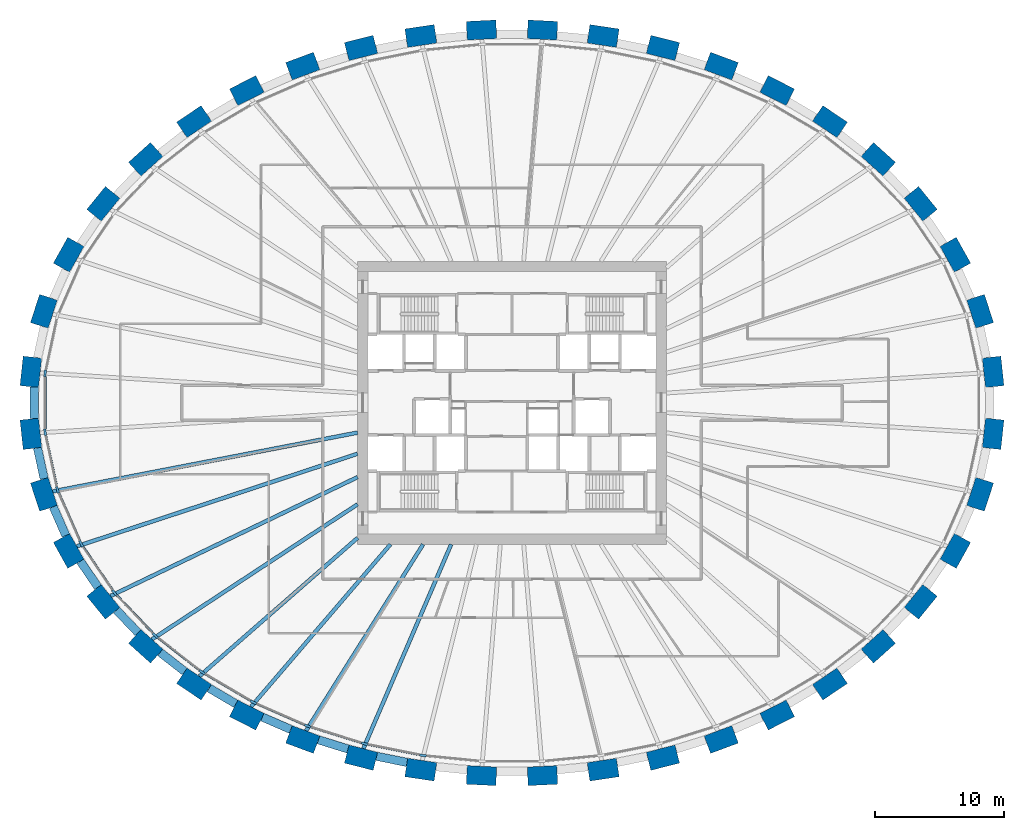
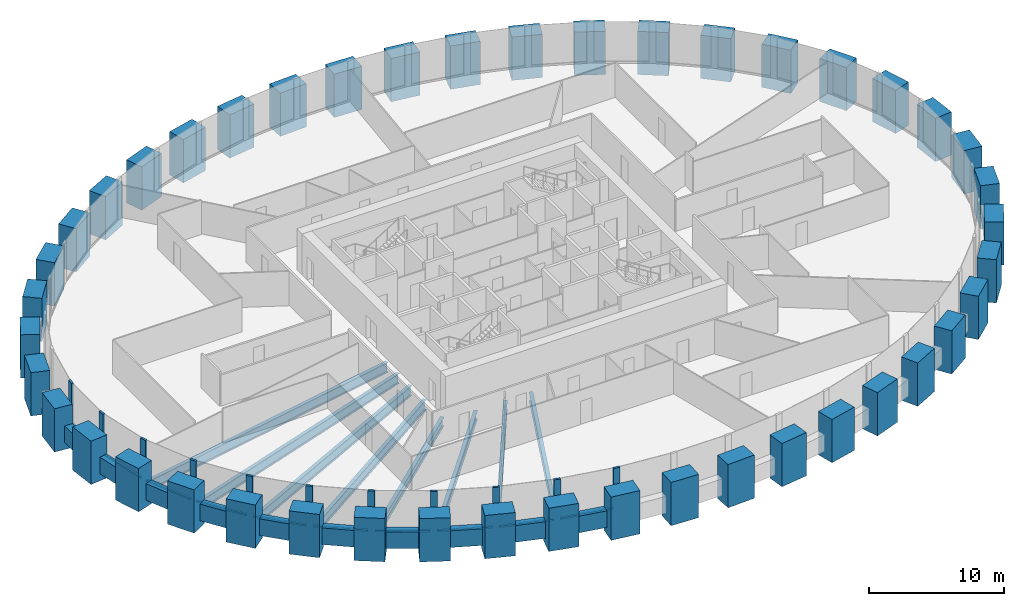
# One storey, part 1 of 10: 44 columns, 21 members, 18 beams, 1 element without a shape of its own.
"""IFC4 building model written with IfcOpenShell, lengths in metres."""

from ifc_helpers import new_model, si_unit, direction, frame, origin, origin_2d, place, context, subcontext, project, spatial, rectangle, i_section, extrude, source, transform, mapped, material, material_profile, profile_set, type_object, element, aggregate, save


model = new_model("IFC4")

# Units and contexts
model_context = context("Model", 3, precision=1e-05, world=origin(), true_north=direction((0.0, 1.0)))
body_context = subcontext(model_context, "Body", "Model", "MODEL_VIEW")
ifc_project = project(units=[si_unit("LENGTHUNIT", "METRE"), si_unit("AREAUNIT", "SQUARE_METRE"), si_unit("VOLUMEUNIT", "CUBIC_METRE"), si_unit("PLANEANGLEUNIT", "RADIAN"), si_unit("MASSUNIT", "GRAM", prefix="KILO")], contexts=[model_context])

# Site, building, storey
site_placement = place(None, origin())
site = spatial("IfcSite", under=ifc_project, at=site_placement, CompositionType="ELEMENT")
building_placement = place(site_placement, origin())
building = spatial("IfcBuilding", under=site, at=building_placement, Name="Embergate Tower", CompositionType="ELEMENT")
storey_placement = place(building_placement, frame((0.0, 0.0, 163.800048828125)))
storey = spatial("IfcBuildingStorey", under=building, at=storey_placement, Name="L36", CompositionType="ELEMENT", Elevation=163.800048828125)

# Columns
ifc_material_1 = material(Name="Concrete C70", Category="concrete")
ifc_material_profile_1 = material_profile(ifc_material_1, rectangle(XDim=1.449951171875, YDim=2.300048828125, at=origin_2d()), Name="RC 1450x2300")
ifc_profile_set_1 = profile_set([ifc_material_profile_1], Name="Concrete C70")
column_type = type_object("IfcColumnType", Name="Ring column RC 1450x2300 C70", PredefinedType="COLUMN", material=ifc_profile_set_1)
shared_shape_1 = source(origin(), body_context, "Body", "SweptSolid", [
    extrude(rectangle(XDim=1.449951171875, YDim=2.300048828125, at=origin_2d()), origin(), (0.0, 0.0, 1.0), 3.900146484375),
])
for number, where, z_axis, x_axis, name in (
    (1, (37.389892578125, 2.406982421875, -1.400146484375), (0.0, 0.0, 1.0), (0.99428589498, 0.106749983816, 0.0), "COL-L36-00"),
    (2, (36.3779296875, 7.10888671875, -1.400146484375), (0.0, 0.0, 1.0), (0.950754033697, 0.309946394413, 0.0), "COL-L36-01"),
    (3, (34.449951171875, 11.5048828125, -1.400146484375), (0.0, 0.0, 1.0), (0.873491969053, 0.486838556403, 0.0), "COL-L36-02"),
    (4, (31.758056640625, 15.465087890625, -1.400146484375), (0.0, 0.0, 1.0), (0.775914301615, 0.630838328377, 0.0), "COL-L36-03"),
    (5, (28.462890625, 18.9208984375, -1.400146484375), (0.0, 0.0, 1.0), (0.669208424634, 0.74307475021, 0.0), "COL-L36-04"),
    (6, (24.70703125, 21.85205078125, -1.400146484375), (0.0, 0.0, 1.0), (0.560393279442, 0.828226643109, 0.0), "COL-L36-05"),
    (7, (20.60791015625, 24.261962890625, -1.400146484375), (0.0, 0.0, 1.0), (0.452994952881, 0.891513080478, 0.0), "COL-L36-06"),
    (8, (16.258056640625, 26.1640625, -1.400146484375), (0.0, 0.0, 1.0), (0.348343015724, 0.93736713373, 0.0), "COL-L36-07"),
    (9, (11.72998046875, 27.574951171875, -1.400146484375), (0.0, 0.0, 1.0), (0.246491603437, 0.969144926951, 0.0), "COL-L36-08"),
    (10, (7.0830078125, 28.507080078125, -1.400146484375), (0.0, 0.0, 1.0), (0.146929011949, 0.989147039346, 0.0), "COL-L36-09"),
    (11, (2.367919921875, 28.969970703125, -1.400146484375), (0.0, 0.0, 1.0), (0.048814904854, 0.998807841912, 0.0), "COL-L36-10"),
    (12, (-2.367919921875, 28.969970703125, -1.400146484375), (0.0, 0.0, 1.0), (-0.048814904854, 0.998807841912, 0.0), "COL-L36-11"),
    (13, (-7.0830078125, 28.507080078125, -1.400146484375), (0.0, 0.0, 1.0), (-0.146929011949, 0.989147039346, 0.0), "COL-L36-12"),
    (14, (-11.72998046875, 27.574951171875, -1.400146484375), (0.0, 0.0, 1.0), (-0.246491603437, 0.969144926951, 0.0), "COL-L36-13"),
    (15, (-16.258056640625, 26.1640625, -1.400146484375), (0.0, 0.0, 1.0), (-0.348343015724, 0.93736713373, 0.0), "COL-L36-14"),
    (16, (-20.60791015625, 24.261962890625, -1.400146484375), (0.0, 0.0, 1.0), (-0.452994952881, 0.891513080478, 0.0), "COL-L36-15"),
    (17, (-24.70703125, 21.85205078125, -1.400146484375), (0.0, 0.0, 1.0), (-0.560393279442, 0.828226643109, 0.0), "COL-L36-16"),
    (18, (-28.462890625, 18.9208984375, -1.400146484375), (0.0, 0.0, 1.0), (-0.669208424634, 0.74307475021, 0.0), "COL-L36-17"),
    (19, (-31.758056640625, 15.465087890625, -1.400146484375), (0.0, 0.0, 1.0), (-0.775914301615, 0.630838328377, 0.0), "COL-L36-18"),
    (20, (-34.449951171875, 11.5048828125, -1.400146484375), (0.0, 0.0, 1.0), (-0.873491969053, 0.486838556403, 0.0), "COL-L36-19"),
    (21, (-36.3779296875, 7.10888671875, -1.400146484375), (0.0, 0.0, 1.0), (-0.950754033697, 0.309946394413, 0.0), "COL-L36-20"),
    (22, (-37.389892578125, 2.406982421875, -1.400146484375), (0.0, 0.0, 1.0), (-0.99428589498, 0.106749983816, 0.0), "COL-L36-21"),
    (23, (-37.389892578125, -2.406982421875, -1.400146484375), (0.0, 0.0, 1.0), (-0.99428589498, -0.106749983816, 0.0), "COL-L36-22"),
    (24, (-36.3779296875, -7.10888671875, -1.400146484375), (0.0, 0.0, 1.0), (-0.950754033697, -0.309946394413, 0.0), "COL-L36-23"),
    (25, (-34.449951171875, -11.5048828125, -1.400146484375), (0.0, 0.0, 1.0), (-0.873491969053, -0.486838556403, 0.0), "COL-L36-24"),
    (26, (-31.758056640625, -15.465087890625, -1.400146484375), (0.0, 0.0, 1.0), (-0.775914301615, -0.630838328377, 0.0), "COL-L36-25"),
    (27, (-28.462890625, -18.9208984375, -1.400146484375), (0.0, 0.0, 1.0), (-0.669208424634, -0.74307475021, 0.0), "COL-L36-26"),
    (28, (-24.70703125, -21.85205078125, -1.400146484375), (0.0, 0.0, 1.0), (-0.560393279442, -0.828226643109, 0.0), "COL-L36-27"),
    (29, (-20.60791015625, -24.261962890625, -1.400146484375), (0.0, 0.0, 1.0), (-0.452994952881, -0.891513080478, 0.0), "COL-L36-28"),
    (30, (-16.258056640625, -26.1640625, -1.400146484375), (0.0, 0.0, 1.0), (-0.348343015724, -0.93736713373, 0.0), "COL-L36-29"),
    (31, (-11.72998046875, -27.574951171875, -1.400146484375), (0.0, 0.0, 1.0), (-0.246491603437, -0.969144926951, 0.0), "COL-L36-30"),
    (32, (-7.0830078125, -28.507080078125, -1.400146484375), (0.0, 0.0, 1.0), (-0.146929011949, -0.989147039346, 0.0), "COL-L36-31"),
    (33, (-2.367919921875, -28.969970703125, -1.400146484375), (0.0, 0.0, 1.0), (-0.048814904854, -0.998807841912, 0.0), "COL-L36-32"),
    (34, (2.367919921875, -28.969970703125, -1.400146484375), (0.0, 0.0, 1.0), (0.048814904854, -0.998807841912, 0.0), "COL-L36-33"),
    (35, (7.0830078125, -28.507080078125, -1.400146484375), (0.0, 0.0, 1.0), (0.146929011949, -0.989147039346, 0.0), "COL-L36-34"),
    (36, (11.72998046875, -27.574951171875, -1.400146484375), (0.0, 0.0, 1.0), (0.246491603437, -0.969144926951, 0.0), "COL-L36-35"),
    (37, (16.258056640625, -26.1640625, -1.400146484375), (0.0, 0.0, 1.0), (0.348343015724, -0.93736713373, 0.0), "COL-L36-36"),
    (38, (20.60791015625, -24.261962890625, -1.400146484375), (0.0, 0.0, 1.0), (0.452994952881, -0.891513080478, 0.0), "COL-L36-37"),
    (39, (24.70703125, -21.85205078125, -1.400146484375), (0.0, 0.0, 1.0), (0.560393279442, -0.828226643109, 0.0), "COL-L36-38"),
    (40, (28.462890625, -18.9208984375, -1.400146484375), (0.0, 0.0, 1.0), (0.669208424634, -0.74307475021, 0.0), "COL-L36-39"),
    (41, (31.758056640625, -15.465087890625, -1.400146484375), (0.0, 0.0, 1.0), (0.775914301615, -0.630838328377, 0.0), "COL-L36-40"),
    (42, (34.449951171875, -11.5048828125, -1.400146484375), (0.0, 0.0, 1.0), (0.873491969053, -0.486838556403, 0.0), "COL-L36-41"),
    (43, (36.3779296875, -7.10888671875, -1.400146484375), (0.0, 0.0, 1.0), (0.950754033697, -0.309946394413, 0.0), "COL-L36-42"),
    (44, (37.389892578125, -2.406982421875, -1.400146484375), (0.0, 0.0, 1.0), (0.99428589498, -0.106749983816, 0.0), "COL-L36-43"),
):
    element("IfcColumn", number, at=place(storey_placement, frame(where, z_axis=z_axis, x_axis=x_axis)), inside=storey, type_object=column_type, Name=name, PredefinedType="COLUMN", context=body_context, shape_type="MappedRepresentation", body=[
        mapped(shared_shape_1, transform((0.0, 0.0, 0.0))),
    ])

# Beams
ifc_material_profile_2 = material_profile(ifc_material_1, rectangle(XDim=0.64990234375, YDim=1.5, at=origin_2d()), Name="RC 650x1500")
ifc_profile_set_2 = profile_set([ifc_material_profile_2], Name="Concrete C70")
beam_type_1 = type_object("IfcBeamType", Name="Spandrel beam RC 650x1500 C70", PredefinedType="BEAM", material=ifc_profile_set_2)
shared_shape_2 = source(origin(), body_context, "Body", "SweptSolid", [
    extrude(rectangle(XDim=0.64990234375, YDim=1.5, at=origin_2d()), origin(), (0.0, 0.0, 1.0), 2.439697265625),
])
beam_1_placement = place(storey_placement, frame((-36.87109375, -3.508056640625, 0.0), z_axis=(0.210738503873, -0.977542471193, 0.0), x_axis=(0.977542471193, 0.210738503873, 0.0)))
element("IfcBeam", 45, at=beam_1_placement, inside=storey, type_object=beam_type_1, Name="SPN-L36-22", PredefinedType="BEAM", context=body_context, shape_type="MappedRepresentation", body=[
    mapped(shared_shape_2, transform((0.0, 0.0, 0.0))),
])
shared_shape_3 = source(origin(), body_context, "Body", "SweptSolid", [
    extrude(rectangle(XDim=0.64990234375, YDim=1.5, at=origin_2d()), origin(), (0.0, 0.0, 1.0), 2.436279296875),
])
beam_2_placement = place(storey_placement, frame((-35.64990234375, -8.0810546875, 0.0), z_axis=(0.401838418441, -0.915710590452, 0.0), x_axis=(0.915710590452, 0.401838418441, 0.0)))
element("IfcBeam", 46, at=beam_2_placement, inside=storey, type_object=beam_type_1, Name="SPN-L36-23", PredefinedType="BEAM", context=body_context, shape_type="MappedRepresentation", body=[
    mapped(shared_shape_3, transform((0.0, 0.0, 0.0))),
])
shared_shape_4 = source(origin(), body_context, "Body", "SweptSolid", [
    extrude(rectangle(XDim=0.64990234375, YDim=1.5, at=origin_2d()), origin(), (0.0, 0.0, 1.0), 2.42724609375),
])
beam_3_placement = place(storey_placement, frame((-33.5400390625, -12.31494140625, 0.0), z_axis=(0.562359541569, -0.826892826191, 0.0), x_axis=(0.826892826191, 0.562359541569, 0.0)))
element("IfcBeam", 47, at=beam_3_placement, inside=storey, type_object=beam_type_1, Name="SPN-L36-24", PredefinedType="BEAM", context=body_context, shape_type="MappedRepresentation", body=[
    mapped(shared_shape_4, transform((0.0, 0.0, 0.0))),
])
shared_shape_5 = source(origin(), body_context, "Body", "SweptSolid", [
    extrude(rectangle(XDim=0.64990234375, YDim=1.5, at=origin_2d()), origin(), (0.0, 0.0, 1.0), 2.421630859375),
])
beam_4_placement = place(storey_placement, frame((-30.72998046875, -16.111083984375, 0.0), z_axis=(0.68996725843, -0.723840577955, 0.0), x_axis=(0.723840577955, 0.68996725843, 0.0)))
element("IfcBeam", 48, at=beam_4_placement, inside=storey, type_object=beam_type_1, Name="SPN-L36-25", PredefinedType="BEAM", context=body_context, shape_type="MappedRepresentation", body=[
    mapped(shared_shape_5, transform((0.0, 0.0, 0.0))),
])
shared_shape_6 = source(origin(), body_context, "Body", "SweptSolid", [
    extrude(rectangle(XDim=0.64990234375, YDim=1.5, at=origin_2d()), origin(), (0.0, 0.0, 1.0), 2.415283203125),
])
beam_5_placement = place(storey_placement, frame((-27.341064453125, -19.39306640625, 0.0), z_axis=(0.788366005977, -0.61520650242, 0.0), x_axis=(0.61520650242, 0.788366005977, 0.0)))
element("IfcBeam", 49, at=beam_5_placement, inside=storey, type_object=beam_type_1, Name="SPN-L36-26", PredefinedType="BEAM", context=body_context, shape_type="MappedRepresentation", body=[
    mapped(shared_shape_6, transform((0.0, 0.0, 0.0))),
])
shared_shape_7 = source(origin(), body_context, "Body", "SweptSolid", [
    extrude(rectangle(XDim=0.64990234375, YDim=1.5, at=origin_2d()), origin(), (0.0, 0.0, 1.0), 2.41015625),
])
beam_6_placement = place(storey_placement, frame((-23.534912109375, -22.172119140625, 0.0), z_axis=(0.862176302717, -0.506608352707, 0.0), x_axis=(0.506608352707, 0.862176302717, 0.0)))
element("IfcBeam", 50, at=beam_6_placement, inside=storey, type_object=beam_type_1, Name="SPN-L36-27", PredefinedType="BEAM", context=body_context, shape_type="MappedRepresentation", body=[
    mapped(shared_shape_7, transform((0.0, 0.0, 0.0))),
])
shared_shape_8 = source(origin(), body_context, "Body", "SweptSolid", [
    extrude(rectangle(XDim=0.64990234375, YDim=1.5, at=origin_2d()), origin(), (0.0, 0.0, 1.0), 2.405029296875),
])
beam_7_placement = place(storey_placement, frame((-19.39892578125, -24.4208984375, 0.0), z_axis=(0.916318010886, -0.400451373983, 0.0), x_axis=(0.400451373983, 0.916318010886, 0.0)))
element("IfcBeam", 51, at=beam_7_placement, inside=storey, type_object=beam_type_1, Name="SPN-L36-28", PredefinedType="BEAM", context=body_context, shape_type="MappedRepresentation", body=[
    mapped(shared_shape_8, transform((0.0, 0.0, 0.0))),
])
shared_shape_9 = source(origin(), body_context, "Body", "SweptSolid", [
    extrude(rectangle(XDim=0.64990234375, YDim=1.5, at=origin_2d()), origin(), (0.0, 0.0, 1.0), 2.40283203125),
])
beam_8_placement = place(storey_placement, frame((-15.0400390625, -26.18798828125, 0.0), z_axis=(0.954689462561, -0.297603813946, 0.0), x_axis=(0.297603813946, 0.954689462561, 0.0)))
element("IfcBeam", 52, at=beam_8_placement, inside=storey, type_object=beam_type_1, Name="SPN-L36-29", PredefinedType="BEAM", context=body_context, shape_type="MappedRepresentation", body=[
    mapped(shared_shape_9, transform((0.0, 0.0, 0.0))),
])
shared_shape_10 = source(origin(), body_context, "Body", "SweptSolid", [
    extrude(rectangle(XDim=0.64990234375, YDim=1.5, at=origin_2d()), origin(), (0.0, 0.0, 1.0), 2.402099609375),
])
beam_9_placement = place(storey_placement, frame((-10.51708984375, -27.471923828125, 0.0), z_axis=(0.980408294351, -0.196976080702, 0.0), x_axis=(0.196976080702, 0.980408294351, 0.0)))
element("IfcBeam", 53, at=beam_9_placement, inside=storey, type_object=beam_type_1, Name="SPN-L36-30", PredefinedType="BEAM", context=body_context, shape_type="MappedRepresentation", body=[
    mapped(shared_shape_10, transform((0.0, 0.0, 0.0))),
])
shared_shape_11 = source(origin(), body_context, "Body", "SweptSolid", [
    extrude(rectangle(XDim=0.64990234375, YDim=1.5, at=origin_2d()), origin(), (0.0, 0.0, 1.0), 2.44189453125),
])
beam_10_placement = place(storey_placement, frame((-37.114013671875, 1.220947265625, 0.0), z_axis=(0.0, -1.0, 0.0), x_axis=(1.0, 0.0, 0.0)))
element("IfcBeam", 54, at=beam_10_placement, inside=storey, type_object=beam_type_1, Name="SPN-L36-21", PredefinedType="BEAM", context=body_context, shape_type="MappedRepresentation", body=[
    mapped(shared_shape_11, transform((0.0, 0.0, 0.0))),
])
ifc_material_2 = material(Name="Steel Q355B", Category="steel")
ifc_material_profile_3 = material_profile(ifc_material_2, i_section(OverallWidth=0.300048828125, OverallDepth=0.89990234375, WebThickness=0.01611328125, FlangeThickness=0.028076171875, FilletRadius=0.028076171875, at=origin_2d()), Name="HN 900x300x16x28")
ifc_profile_set_3 = profile_set([ifc_material_profile_3], Name="Steel Q355 grade B")
beam_type_2 = type_object("IfcBeamType", Name="Radial girder HN 900x300x16x28", PredefinedType="BEAM", material=ifc_profile_set_3)
shared_shape_12 = source(origin(), body_context, "Body", "SweptSolid", [
    extrude(i_section(OverallWidth=0.300048828125, OverallDepth=0.89990234375, WebThickness=0.01611328125, FlangeThickness=0.028076171875, FilletRadius=0.028076171875, at=origin_2d()), origin(), (0.0, 0.0, 1.0), 24.12548828125),
])
beam_11_placement = place(storey_placement, frame((-35.68896484375, -6.884033203125, -0.650146484375), z_axis=(0.981902359672, 0.189387845628, 0.0), x_axis=(-0.189387845628, 0.981902359672, 0.0)))
element("IfcBeam", 55, at=beam_11_placement, inside=storey, type_object=beam_type_2, Name="GIR-L36-23", PredefinedType="BEAM", context=body_context, shape_type="MappedRepresentation", body=[
    mapped(shared_shape_12, transform((0.0, 0.0, 0.0))),
])
shared_shape_13 = source(origin(), body_context, "Body", "SweptSolid", [
    extrude(i_section(OverallWidth=0.300048828125, OverallDepth=0.89990234375, WebThickness=0.01611328125, FlangeThickness=0.028076171875, FilletRadius=0.028076171875, at=origin_2d()), origin(), (0.0, 0.0, 1.0), 22.97265625),
])
beam_12_placement = place(storey_placement, frame((-33.81689453125, -11.152099609375, -0.650146484375), z_axis=(0.949687014879, 0.313200532838, 0.0), x_axis=(-0.313200532838, 0.949687014879, 0.0)))
element("IfcBeam", 56, at=beam_12_placement, inside=storey, type_object=beam_type_2, Name="GIR-L36-24", PredefinedType="BEAM", context=body_context, shape_type="MappedRepresentation", body=[
    mapped(shared_shape_13, transform((0.0, 0.0, 0.0))),
])
shared_shape_14 = source(origin(), body_context, "Body", "SweptSolid", [
    extrude(i_section(OverallWidth=0.300048828125, OverallDepth=0.89990234375, WebThickness=0.01611328125, FlangeThickness=0.028076171875, FilletRadius=0.028076171875, at=origin_2d()), origin(), (0.0, 0.0, 1.0), 21.301025390625),
])
beam_13_placement = place(storey_placement, frame((-31.195068359375, -15.008056640625, -0.650146484375), z_axis=(0.901129390798, 0.433550252035, 0.0), x_axis=(-0.433550252035, 0.901129390798, 0.0)))
element("IfcBeam", 57, at=beam_13_placement, inside=storey, type_object=beam_type_2, Name="GIR-L36-25", PredefinedType="BEAM", context=body_context, shape_type="MappedRepresentation", body=[
    mapped(shared_shape_14, transform((0.0, 0.0, 0.0))),
])
shared_shape_15 = source(origin(), body_context, "Body", "SweptSolid", [
    extrude(i_section(OverallWidth=0.300048828125, OverallDepth=0.89990234375, WebThickness=0.01611328125, FlangeThickness=0.028076171875, FilletRadius=0.028076171875, at=origin_2d()), origin(), (0.0, 0.0, 1.0), 19.1181640625),
])
beam_14_placement = place(storey_placement, frame((-27.97802734375, -18.382080078125, -0.650146484375), z_axis=(0.835748679781, 0.549112141775, 0.0), x_axis=(-0.549112141775, 0.835748679781, 0.0)))
element("IfcBeam", 58, at=beam_14_placement, inside=storey, type_object=beam_type_2, Name="GIR-L36-26", PredefinedType="BEAM", context=body_context, shape_type="MappedRepresentation", body=[
    mapped(shared_shape_15, transform((0.0, 0.0, 0.0))),
])
ifc_material_profile_4 = material_profile(ifc_material_2, i_section(OverallWidth=0.300048828125, OverallDepth=0.800048828125, WebThickness=0.013916015625, FlangeThickness=0.02587890625, FilletRadius=0.028076171875, at=origin_2d()), Name="HN 800x300x14x26")
ifc_profile_set_4 = profile_set([ifc_material_profile_4], Name="Steel Q355 grade B")
beam_type_3 = type_object("IfcBeamType", Name="Radial girder HN 800x300x14x26", PredefinedType="BEAM", material=ifc_profile_set_4)
shared_shape_16 = source(origin(), body_context, "Body", "SweptSolid", [
    extrude(i_section(OverallWidth=0.300048828125, OverallDepth=0.800048828125, WebThickness=0.013916015625, FlangeThickness=0.02587890625, FilletRadius=0.028076171875, at=origin_2d()), origin(), (0.0, 0.0, 1.0), 16.341796875),
])
beam_15_placement = place(storey_placement, frame((-24.301025390625, -21.251953125, -0.60009765625), z_axis=(0.752738629267, 0.65831949387, 0.0), x_axis=(-0.65831949387, 0.752738629267, 0.0)))
element("IfcBeam", 59, at=beam_15_placement, inside=storey, type_object=beam_type_3, Name="GIR-L36-27", PredefinedType="BEAM", context=body_context, shape_type="MappedRepresentation", body=[
    mapped(shared_shape_16, transform((0.0, 0.0, 0.0))),
])
shared_shape_17 = source(origin(), body_context, "Body", "SweptSolid", [
    extrude(i_section(OverallWidth=0.300048828125, OverallDepth=0.800048828125, WebThickness=0.013916015625, FlangeThickness=0.02587890625, FilletRadius=0.028076171875, at=origin_2d()), origin(), (0.0, 0.0, 1.0), 16.62939453125),
])
beam_16_placement = place(storey_placement, frame((-20.280029296875, -23.615966796875, -0.60009765625), z_axis=(0.651494757219, 0.758653136364, 0.0), x_axis=(-0.758653136364, 0.651494757219, 0.0)))
element("IfcBeam", 60, at=beam_16_placement, inside=storey, type_object=beam_type_3, Name="GIR-L36-28", PredefinedType="BEAM", context=body_context, shape_type="MappedRepresentation", body=[
    mapped(shared_shape_17, transform((0.0, 0.0, 0.0))),
])
shared_shape_18 = source(origin(), body_context, "Body", "SweptSolid", [
    extrude(i_section(OverallWidth=0.300048828125, OverallDepth=0.800048828125, WebThickness=0.013916015625, FlangeThickness=0.02587890625, FilletRadius=0.028076171875, at=origin_2d()), origin(), (0.0, 0.0, 1.0), 17.103271484375),
])
beam_17_placement = place(storey_placement, frame((-16.0048828125, -25.48388671875, -0.60009765625), z_axis=(0.531827416629, 0.846852761064, 0.0), x_axis=(-0.846852761064, 0.531827416629, 0.0)))
element("IfcBeam", 61, at=beam_17_placement, inside=storey, type_object=beam_type_3, Name="GIR-L36-29", PredefinedType="BEAM", context=body_context, shape_type="MappedRepresentation", body=[
    mapped(shared_shape_18, transform((0.0, 0.0, 0.0))),
])
shared_shape_19 = source(origin(), body_context, "Body", "SweptSolid", [
    extrude(i_section(OverallWidth=0.300048828125, OverallDepth=0.800048828125, WebThickness=0.013916015625, FlangeThickness=0.02587890625, FilletRadius=0.028076171875, at=origin_2d()), origin(), (0.0, 0.0, 1.0), 17.2763671875),
])
beam_18_placement = place(storey_placement, frame((-11.551025390625, -26.8720703125, -0.60009765625), z_axis=(0.394930430289, 0.918711029232, 0.0), x_axis=(-0.918711029232, 0.394930430289, 0.0)))
element("IfcBeam", 62, at=beam_18_placement, inside=storey, type_object=beam_type_3, Name="GIR-L36-30", PredefinedType="BEAM", context=body_context, shape_type="MappedRepresentation", body=[
    mapped(shared_shape_19, transform((0.0, 0.0, 0.0))),
])

# Curtain wall, members
ifc_material_3 = material(Name="Aluminium and glass", Category="aluminium")
curtain_wall_type = type_object("IfcCurtainWallType", Name="Recessed office glazing", PredefinedType="NOTDEFINED", material=ifc_material_3)
curtain_wall_placement = place(storey_placement, origin())
curtain_wall = element("IfcCurtainWall", 63, at=curtain_wall_placement, inside=storey, type_object=curtain_wall_type, Name="Recessed office glazing ring", ObjectType="RECESSED OFFICE GLAZING", PredefinedType="USERDEFINED")
ifc_material_4 = material(Name="Aluminium, thermally broken", Category="aluminium")
ifc_material_profile_5 = material_profile(ifc_material_4, rectangle(XDim=0.179931640625, YDim=0.52001953125, at=origin_2d()), Name="AL 520x180")
ifc_profile_set_5 = profile_set([ifc_material_profile_5], Name="Aluminium, thermally broken")
member_type_1 = type_object("IfcMemberType", Name="Office mullion", PredefinedType="MULLION", material=ifc_profile_set_5)
shared_shape_20 = source(origin(), body_context, "Body", "SweptSolid", [
    extrude(rectangle(XDim=0.179931640625, YDim=0.52001953125, at=origin_2d()), origin(), (0.0, 0.0, 1.0), 3.699951171875),
])
member_1_placement = place(storey_placement, frame((-36.281494140625, 2.287841796875, 0.0), z_axis=(0.0, 0.0, 1.0), x_axis=(0.994384954736, -0.105823257345, 0.0)))
member_1 = element("IfcMember", 64, at=member_1_placement, type_object=member_type_1, Name="CW mullion 22", PredefinedType="MULLION", context=body_context, shape_type="MappedRepresentation", body=[
    mapped(shared_shape_20, transform((0.0, 0.0, 0.0))),
])
member_2_placement = place(storey_placement, frame((-36.281494140625, -2.287841796875, 0.0), z_axis=(0.0, 0.0, 1.0), x_axis=(0.994384954736, 0.105823257345, 0.0)))
member_2 = element("IfcMember", 65, at=member_2_placement, type_object=member_type_1, Name="CW mullion 23", PredefinedType="MULLION", context=body_context, shape_type="MappedRepresentation", body=[
    mapped(shared_shape_20, transform((0.0, 0.0, 0.0))),
])
member_3_placement = place(storey_placement, frame((-35.318115234375, -6.763427734375, 0.0), z_axis=(0.0, 0.0, 1.0), x_axis=(0.951497797992, 0.307655554826, 0.0)))
member_3 = element("IfcMember", 66, at=member_3_placement, type_object=member_type_1, Name="CW mullion 24", PredefinedType="MULLION", context=body_context, shape_type="MappedRepresentation", body=[
    mapped(shared_shape_20, transform((0.0, 0.0, 0.0))),
])
member_4_placement = place(storey_placement, frame((-33.4765625, -10.96240234375, 0.0), z_axis=(0.0, 0.0, 1.0), x_axis=(0.875001895832, 0.484119491748, 0.0)))
member_4 = element("IfcMember", 67, at=member_4_placement, type_object=member_type_1, Name="CW mullion 25", PredefinedType="MULLION", context=body_context, shape_type="MappedRepresentation", body=[
    mapped(shared_shape_20, transform((0.0, 0.0, 0.0))),
])
member_5_placement = place(storey_placement, frame((-30.89306640625, -14.76123046875, 0.0), z_axis=(0.0, 0.0, 1.0), x_axis=(0.777872564355, 0.628422050555, 0.0)))
member_5 = element("IfcMember", 68, at=member_5_placement, type_object=member_type_1, Name="CW mullion 26", PredefinedType="MULLION", context=body_context, shape_type="MappedRepresentation", body=[
    mapped(shared_shape_20, transform((0.0, 0.0, 0.0))),
])
member_6_placement = place(storey_placement, frame((-27.716796875, -18.092041015625, 0.0), z_axis=(0.0, 0.0, 1.0), x_axis=(0.671226533956, 0.741252278319, 0.0)))
member_6 = element("IfcMember", 69, at=member_6_placement, type_object=member_type_1, Name="CW mullion 27", PredefinedType="MULLION", context=body_context, shape_type="MappedRepresentation", body=[
    mapped(shared_shape_20, transform((0.0, 0.0, 0.0))),
])
member_7_placement = place(storey_placement, frame((-24.08251953125, -20.9287109375, 0.0), z_axis=(0.0, 0.0, 1.0), x_axis=(0.562216175174, 0.826990309721, 0.0)))
member_7 = element("IfcMember", 70, at=member_7_placement, type_object=member_type_1, Name="CW mullion 28", PredefinedType="MULLION", context=body_context, shape_type="MappedRepresentation", body=[
    mapped(shared_shape_20, transform((0.0, 0.0, 0.0))),
])
member_8_placement = place(storey_placement, frame((-20.103271484375, -23.26806640625, 0.0), z_axis=(0.0, 0.0, 1.0), x_axis=(0.454509825889, 0.890741723605, 0.0)))
member_8 = element("IfcMember", 71, at=member_8_placement, type_object=member_type_1, Name="CW mullion 29", PredefinedType="MULLION", context=body_context, shape_type="MappedRepresentation", body=[
    mapped(shared_shape_20, transform((0.0, 0.0, 0.0))),
])
member_9_placement = place(storey_placement, frame((-15.86962890625, -25.119384765625, 0.0), z_axis=(0.0, 0.0, 1.0), x_axis=(0.349502682851, 0.936935363128, 0.0)))
member_9 = element("IfcMember", 72, at=member_9_placement, type_object=member_type_1, Name="CW mullion 30", PredefinedType="MULLION", context=body_context, shape_type="MappedRepresentation", body=[
    mapped(shared_shape_20, transform((0.0, 0.0, 0.0))),
])
member_10_placement = place(storey_placement, frame((-11.454833984375, -26.494140625, 0.0), z_axis=(0.0, 0.0, 1.0), x_axis=(0.24731188137, 0.968935928394, 0.0)))
member_10 = element("IfcMember", 73, at=member_10_placement, type_object=member_type_1, Name="CW mullion 31", PredefinedType="MULLION", context=body_context, shape_type="MappedRepresentation", body=[
    mapped(shared_shape_20, transform((0.0, 0.0, 0.0))),
])
member_11_placement = place(storey_placement, frame((-6.919189453125, -27.40380859375, 0.0), z_axis=(0.0, 0.0, 1.0), x_axis=(0.147412382818, 0.989075118174, 0.0)))
member_11 = element("IfcMember", 74, at=member_11_placement, type_object=member_type_1, Name="CW mullion 32", PredefinedType="MULLION", context=body_context, shape_type="MappedRepresentation", body=[
    mapped(shared_shape_20, transform((0.0, 0.0, 0.0))),
])
ifc_material_profile_6 = material_profile(ifc_material_4, rectangle(XDim=0.179931640625, YDim=0.14990234375, at=origin_2d()), Name="AL 150x180")
ifc_profile_set_6 = profile_set([ifc_material_profile_6], Name="Aluminium, thermally broken")
member_type_2 = type_object("IfcMemberType", Name="Office sill transom", PredefinedType="USERDEFINED", material=ifc_profile_set_6)
shared_shape_21 = source(origin(), body_context, "Body", "SweptSolid", [
    extrude(rectangle(XDim=0.179931640625, YDim=0.14990234375, at=origin_2d()), origin(), (0.0, 0.0, 1.0), 4.05810546875),
])
member_12_placement = place(storey_placement, frame((-36.226806640625, -2.5419921875, 0.074951171875), z_axis=(0.210441087969, -0.977606540738, 0.0), x_axis=(0.977606540738, 0.210441087969, 0.0)))
member_12 = element("IfcMember", 75, at=member_12_placement, type_object=member_type_2, Name="CW transom 23.1", ObjectType="TRANSOM", PredefinedType="USERDEFINED", context=body_context, shape_type="MappedRepresentation", body=[
    mapped(shared_shape_21, transform((0.0, 0.0, 0.0))),
])
shared_shape_22 = source(origin(), body_context, "Body", "SweptSolid", [
    extrude(rectangle(XDim=0.179931640625, YDim=0.14990234375, at=origin_2d()), origin(), (0.0, 0.0, 1.0), 4.06494140625),
])
member_13_placement = place(storey_placement, frame((-35.213623046875, -7.001708984375, 0.074951171875), z_axis=(0.401675633899, -0.91578200743, 0.0), x_axis=(0.91578200743, 0.401675633899, 0.0)))
member_13 = element("IfcMember", 76, at=member_13_placement, type_object=member_type_2, Name="CW transom 24.1", ObjectType="TRANSOM", PredefinedType="USERDEFINED", context=body_context, shape_type="MappedRepresentation", body=[
    mapped(shared_shape_22, transform((0.0, 0.0, 0.0))),
])
shared_shape_23 = source(origin(), body_context, "Body", "SweptSolid", [
    extrude(rectangle(XDim=0.179931640625, YDim=0.14990234375, at=origin_2d()), origin(), (0.0, 0.0, 1.0), 4.073974609375),
])
member_14_placement = place(storey_placement, frame((-33.330322265625, -11.177490234375, 0.074951171875), z_axis=(0.562337885641, -0.826907553704, 0.0), x_axis=(0.826907553704, 0.562337885641, 0.0)))
member_14 = element("IfcMember", 77, at=member_14_placement, type_object=member_type_2, Name="CW transom 25.1", ObjectType="TRANSOM", PredefinedType="USERDEFINED", context=body_context, shape_type="MappedRepresentation", body=[
    mapped(shared_shape_23, transform((0.0, 0.0, 0.0))),
])
shared_shape_24 = source(origin(), body_context, "Body", "SweptSolid", [
    extrude(rectangle(XDim=0.179931640625, YDim=0.14990234375, at=origin_2d()), origin(), (0.0, 0.0, 1.0), 4.082763671875),
])
member_15_placement = place(storey_placement, frame((-30.713623046875, -14.949462890625, 0.074951171875), z_axis=(0.690134333582, -0.723681284552, 0.0), x_axis=(0.723681284552, 0.690134333582, 0.0)))
member_15 = element("IfcMember", 78, at=member_15_placement, type_object=member_type_2, Name="CW transom 26.1", ObjectType="TRANSOM", PredefinedType="USERDEFINED", context=body_context, shape_type="MappedRepresentation", body=[
    mapped(shared_shape_24, transform((0.0, 0.0, 0.0))),
])
shared_shape_25 = source(origin(), body_context, "Body", "SweptSolid", [
    extrude(rectangle(XDim=0.179931640625, YDim=0.14990234375, at=origin_2d()), origin(), (0.0, 0.0, 1.0), 4.090087890625),
])
member_16_placement = place(storey_placement, frame((-27.51171875, -18.252197265625, 0.074951171875), z_axis=(0.788341910095, -0.615237379219, 0.0), x_axis=(0.615237379219, 0.788341910095, 0.0)))
member_16 = element("IfcMember", 79, at=member_16_placement, type_object=member_type_2, Name="CW transom 27.1", ObjectType="TRANSOM", PredefinedType="USERDEFINED", context=body_context, shape_type="MappedRepresentation", body=[
    mapped(shared_shape_25, transform((0.0, 0.0, 0.0))),
])
shared_shape_26 = source(origin(), body_context, "Body", "SweptSolid", [
    extrude(rectangle(XDim=0.179931640625, YDim=0.14990234375, at=origin_2d()), origin(), (0.0, 0.0, 1.0), 4.095947265625),
])
member_17_placement = place(storey_placement, frame((-23.8583984375, -21.060302734375, 0.074951171875), z_axis=(0.86205523764, -0.506814332134, 0.0), x_axis=(0.506814332134, 0.86205523764, 0.0)))
member_17 = element("IfcMember", 80, at=member_17_placement, type_object=member_type_2, Name="CW transom 28.1", ObjectType="TRANSOM", PredefinedType="USERDEFINED", context=body_context, shape_type="MappedRepresentation", body=[
    mapped(shared_shape_26, transform((0.0, 0.0, 0.0))),
])
shared_shape_27 = source(origin(), body_context, "Body", "SweptSolid", [
    extrude(rectangle(XDim=0.179931640625, YDim=0.14990234375, at=origin_2d()), origin(), (0.0, 0.0, 1.0), 4.1005859375),
])
member_18_placement = place(storey_placement, frame((-19.864990234375, -23.372314453125, 0.074951171875), z_axis=(0.916237937351, -0.400634549382, 0.0), x_axis=(0.400634549382, 0.916237937351, 0.0)))
member_18 = element("IfcMember", 81, at=member_18_placement, type_object=member_type_2, Name="CW transom 29.1", ObjectType="TRANSOM", PredefinedType="USERDEFINED", context=body_context, shape_type="MappedRepresentation", body=[
    mapped(shared_shape_27, transform((0.0, 0.0, 0.0))),
])
shared_shape_28 = source(origin(), body_context, "Body", "SweptSolid", [
    extrude(rectangle(XDim=0.179931640625, YDim=0.14990234375, at=origin_2d()), origin(), (0.0, 0.0, 1.0), 4.103759765625),
])
member_19_placement = place(storey_placement, frame((-15.621337890625, -25.196533203125, 0.074951171875), z_axis=(0.954772738111, -0.297336540911, 0.0), x_axis=(0.297336540911, 0.954772738111, 0.0)))
member_19 = element("IfcMember", 82, at=member_19_placement, type_object=member_type_2, Name="CW transom 30.1", ObjectType="TRANSOM", PredefinedType="USERDEFINED", context=body_context, shape_type="MappedRepresentation", body=[
    mapped(shared_shape_28, transform((0.0, 0.0, 0.0))),
])
shared_shape_29 = source(origin(), body_context, "Body", "SweptSolid", [
    extrude(rectangle(XDim=0.179931640625, YDim=0.14990234375, at=origin_2d()), origin(), (0.0, 0.0, 1.0), 4.10595703125),
])
member_20_placement = place(storey_placement, frame((-11.199951171875, -26.54541015625, 0.074951171875), z_axis=(0.980477631016, -0.196630656505, 0.0), x_axis=(0.196630656505, 0.980477631016, 0.0)))
member_20 = element("IfcMember", 83, at=member_20_placement, type_object=member_type_2, Name="CW transom 31.1", ObjectType="TRANSOM", PredefinedType="USERDEFINED", context=body_context, shape_type="MappedRepresentation", body=[
    mapped(shared_shape_29, transform((0.0, 0.0, 0.0))),
])
shared_shape_30 = source(origin(), body_context, "Body", "SweptSolid", [
    extrude(rectangle(XDim=0.179931640625, YDim=0.14990234375, at=origin_2d()), origin(), (0.0, 0.0, 1.0), 4.0556640625),
])
member_21_placement = place(storey_placement, frame((-36.281494140625, 2.02783203125, 0.074951171875), z_axis=(0.0, -1.0, 0.0), x_axis=(1.0, 0.0, 0.0)))
member_21 = element("IfcMember", 84, at=member_21_placement, type_object=member_type_2, Name="CW transom 22.1", ObjectType="TRANSOM", PredefinedType="USERDEFINED", context=body_context, shape_type="MappedRepresentation", body=[
    mapped(shared_shape_30, transform((0.0, 0.0, 0.0))),
])
aggregate(curtain_wall, [member_1, member_2, member_3, member_4, member_5, member_6, member_7, member_8, member_9, member_10, member_11, member_21, member_12, member_13, member_14, member_15, member_16, member_17, member_18, member_19, member_20])

save(model, "model.ifc")
